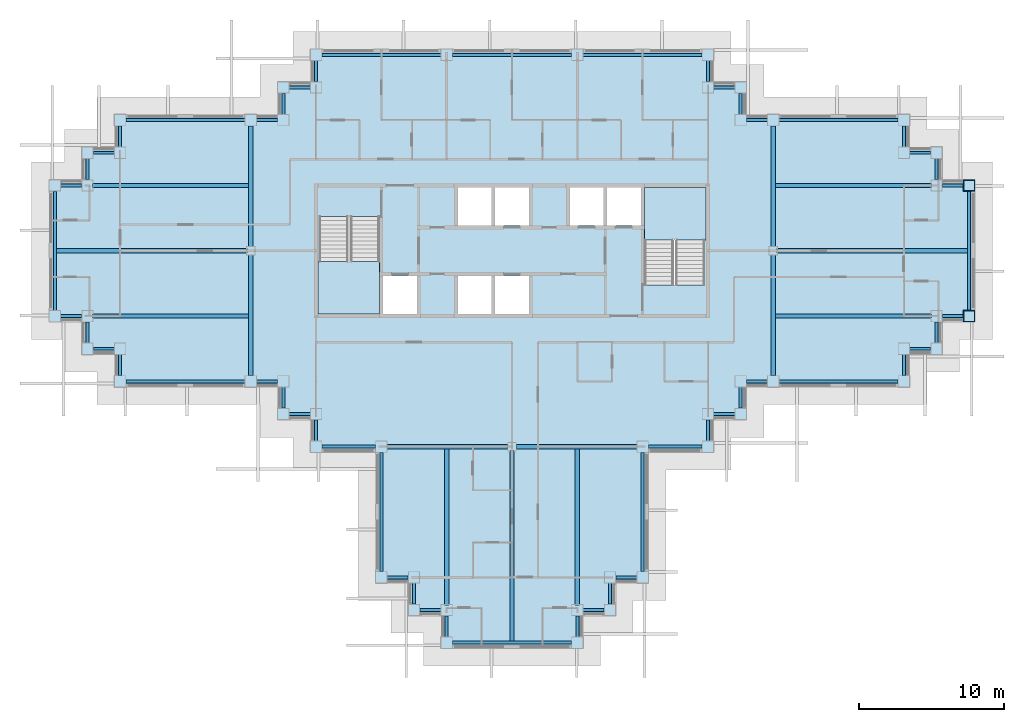
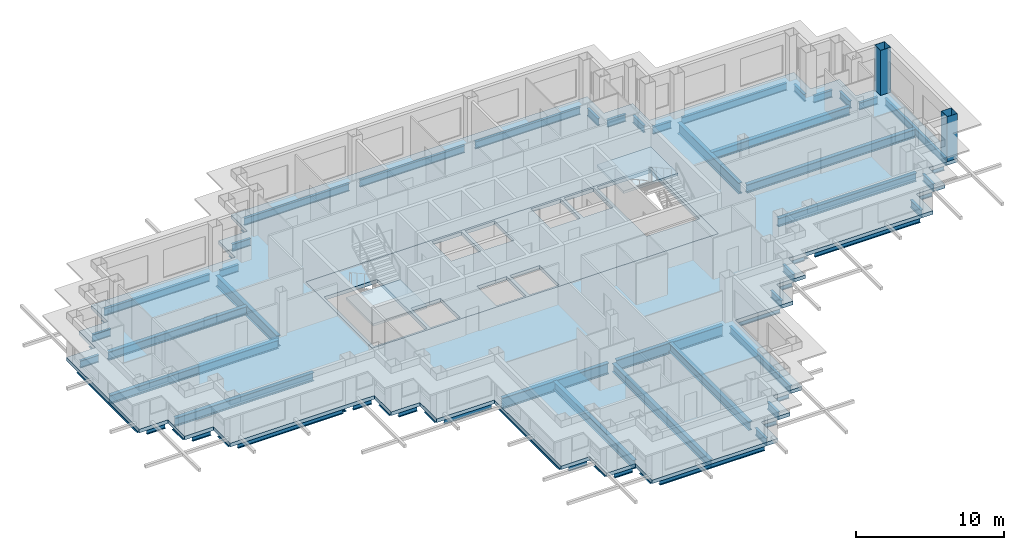
# One storey, part 2 of 14: 69 beams, 4 slabs, 2 columns, 2 elements without a shape of their own.
"""IFC4 building model written with IfcOpenShell, lengths in metres."""

from ifc_helpers import new_model, si_unit, direction, frame, origin, origin_2d, place, context, subcontext, project, spatial, polyline, hollow_rectangle, i_section, outline, extrude, material, layer, layer_set, material_profile, profile_set, type_object, element, aggregate, save


model = new_model("IFC4")

# Units and contexts
model_context = context("Model", 3, precision=1e-05, world=origin(), true_north=direction((0.0, 1.0)))
body_context = subcontext(model_context, "Body", "Model", "MODEL_VIEW")
ifc_project = project(units=[si_unit("LENGTHUNIT", "METRE"), si_unit("AREAUNIT", "SQUARE_METRE"), si_unit("VOLUMEUNIT", "CUBIC_METRE"), si_unit("PLANEANGLEUNIT", "RADIAN"), si_unit("MASSUNIT", "GRAM", prefix="KILO")], contexts=[model_context])

# Site, building, storey
site_placement = place(None, origin())
site = spatial("IfcSite", under=ifc_project, at=site_placement, CompositionType="ELEMENT")
building_placement = place(site_placement, origin())
building = spatial("IfcBuilding", under=site, at=building_placement, Name="Caravel Reach Hotel and Residences", CompositionType="ELEMENT")
storey_placement = place(building_placement, frame((0.0, 0.0, 161.699951171875)))
storey = spatial("IfcBuildingStorey", under=building, at=storey_placement, Name="L40", CompositionType="ELEMENT", Elevation=161.699951171875)

# Columns
ifc_material_1 = material(Name="Concrete-filled steel tube Q390B with Concrete C60 infill", Category="concrete")
ifc_material_profile_1 = material_profile(ifc_material_1, hollow_rectangle(XDim=0.800048828125, YDim=0.800048828125, WallThickness=0.02490234375, at=origin_2d()), Name="RHS 800x800x25")
ifc_profile_set_1 = profile_set([ifc_material_profile_1], Name="Concrete-filled steel tube Q390B with Concrete C60 infill")
column_type = type_object("IfcColumnType", Name="CFT 800x800 Q390B C60", PredefinedType="COLUMN", material=ifc_profile_set_1)
for number, where, z_axis, x_axis, name in (
    (1, (63.0, 22.5, 0.0), (0.0, 0.0, 1.0), (1.0, 0.0, 0.0), "C5 column"),
    (2, (63.0, 31.5, 0.0), (0.0, 0.0, 1.0), (1.0, 0.0, 0.0), "C5 column"),
):
    element("IfcColumn", number, at=place(storey_placement, frame(where, z_axis=z_axis, x_axis=x_axis)), inside=storey, type_object=column_type, Name=name, PredefinedType="COLUMN", context=body_context, shape_type="SweptSolid", body=[
        extrude(hollow_rectangle(XDim=0.800048828125, YDim=0.800048828125, WallThickness=0.02490234375, at=origin_2d()), origin(), (0.0, 0.0, 1.0), 3.699951171875),
    ])

# Beams
ifc_material_2 = material(Name="Structural steel Q355B", Category="steel")
ifc_material_profile_2 = material_profile(ifc_material_2, i_section(OverallWidth=0.300048828125, OverallDepth=0.699951171875, WebThickness=0.012939453125, FlangeThickness=0.02392578125, FilletRadius=0.01806640625, at=origin_2d()), Name="HN 700x300x13x24")
ifc_profile_set_2 = profile_set([ifc_material_profile_2], Name="Structural steel Q355B")
beam_type_1 = type_object("IfcBeamType", Name="Beam HN 700x300x13x24", PredefinedType="BEAM", material=ifc_profile_set_2)
beam_1_placement = place(storey_placement, frame((27.0, 13.39990234375, -0.64990234375), z_axis=(0.0, -1.0, 0.0), x_axis=(1.0, 0.0, 0.0)))
element("IfcBeam", 3, at=beam_1_placement, inside=storey, type_object=beam_type_1, Name="B2 HN 700x300x13x24", PredefinedType="BEAM", context=body_context, shape_type="SweptSolid", body=[
    extrude(i_section(OverallWidth=0.300048828125, OverallDepth=0.699951171875, WebThickness=0.012939453125, FlangeThickness=0.02392578125, FilletRadius=0.01806640625, at=origin_2d()), origin(), (0.0, 0.0, 1.0), 10.7998046875),
])
beam_2_placement = place(storey_placement, frame((31.5, 13.25, -0.64990234375), z_axis=(0.0, -1.0, 0.0), x_axis=(1.0, 0.0, 0.0)))
element("IfcBeam", 4, at=beam_2_placement, inside=storey, type_object=beam_type_1, Name="B2 HN 700x300x13x24", PredefinedType="BEAM", context=body_context, shape_type="SweptSolid", body=[
    extrude(i_section(OverallWidth=0.300048828125, OverallDepth=0.699951171875, WebThickness=0.012939453125, FlangeThickness=0.02392578125, FilletRadius=0.01806640625, at=origin_2d()), origin(), (0.0, 0.0, 1.0), 13.14990234375),
])
for number, where, z_axis, x_axis, name in (
    (5, (36.0, 13.39990234375, -0.64990234375), (0.0, -1.0, 0.0), (1.0, 0.0, 0.0), "B2 HN 700x300x13x24"),
    (6, (49.60009765625, 22.5, -0.64990234375), (1.0, 0.0, 0.0), (0.0, 1.0, 0.0), "B2 HN 700x300x13x24"),
):
    element("IfcBeam", number, at=place(storey_placement, frame(where, z_axis=z_axis, x_axis=x_axis)), inside=storey, type_object=beam_type_1, Name=name, PredefinedType="BEAM", context=body_context, shape_type="SweptSolid", body=[
        extrude(i_section(OverallWidth=0.300048828125, OverallDepth=0.699951171875, WebThickness=0.012939453125, FlangeThickness=0.02392578125, FilletRadius=0.01806640625, at=origin_2d()), origin(), (0.0, 0.0, 1.0), 10.7998046875),
    ])
beam_3_placement = place(storey_placement, frame((49.75, 27.0, -0.64990234375), z_axis=(1.0, 0.0, 0.0), x_axis=(0.0, 1.0, 0.0)))
element("IfcBeam", 7, at=beam_3_placement, inside=storey, type_object=beam_type_1, Name="B2 HN 700x300x13x24", PredefinedType="BEAM", context=body_context, shape_type="SweptSolid", body=[
    extrude(i_section(OverallWidth=0.300048828125, OverallDepth=0.699951171875, WebThickness=0.012939453125, FlangeThickness=0.02392578125, FilletRadius=0.01806640625, at=origin_2d()), origin(), (0.0, 0.0, 1.0), 13.14990234375),
])
for number, where, z_axis, x_axis, name in (
    (8, (49.60009765625, 31.5, -0.64990234375), (1.0, 0.0, 0.0), (0.0, 1.0, 0.0), "B2 HN 700x300x13x24"),
    (9, (13.39990234375, 22.5, -0.64990234375), (-1.0, 0.0, 0.0), (0.0, -1.0, 0.0), "B2 HN 700x300x13x24"),
):
    element("IfcBeam", number, at=place(storey_placement, frame(where, z_axis=z_axis, x_axis=x_axis)), inside=storey, type_object=beam_type_1, Name=name, PredefinedType="BEAM", context=body_context, shape_type="SweptSolid", body=[
        extrude(i_section(OverallWidth=0.300048828125, OverallDepth=0.699951171875, WebThickness=0.012939453125, FlangeThickness=0.02392578125, FilletRadius=0.01806640625, at=origin_2d()), origin(), (0.0, 0.0, 1.0), 10.7998046875),
    ])
beam_4_placement = place(storey_placement, frame((13.25, 27.0, -0.64990234375), z_axis=(-1.0, 0.0, 0.0), x_axis=(0.0, -1.0, 0.0)))
element("IfcBeam", 10, at=beam_4_placement, inside=storey, type_object=beam_type_1, Name="B2 HN 700x300x13x24", PredefinedType="BEAM", context=body_context, shape_type="SweptSolid", body=[
    extrude(i_section(OverallWidth=0.300048828125, OverallDepth=0.699951171875, WebThickness=0.012939453125, FlangeThickness=0.02392578125, FilletRadius=0.01806640625, at=origin_2d()), origin(), (0.0, 0.0, 1.0), 13.14990234375),
])
beam_5_placement = place(storey_placement, frame((13.39990234375, 31.5, -0.64990234375), z_axis=(-1.0, 0.0, 0.0), x_axis=(0.0, -1.0, 0.0)))
element("IfcBeam", 11, at=beam_5_placement, inside=storey, type_object=beam_type_1, Name="B2 HN 700x300x13x24", PredefinedType="BEAM", context=body_context, shape_type="SweptSolid", body=[
    extrude(i_section(OverallWidth=0.300048828125, OverallDepth=0.699951171875, WebThickness=0.012939453125, FlangeThickness=0.02392578125, FilletRadius=0.01806640625, at=origin_2d()), origin(), (0.0, 0.0, 1.0), 10.7998046875),
])
ifc_material_3 = material(Name="Structural steel Q355B", Category="steel")
ifc_material_profile_3 = material_profile(ifc_material_3, i_section(OverallWidth=0.300048828125, OverallDepth=0.89990234375, WebThickness=0.01611328125, FlangeThickness=0.028076171875, FilletRadius=0.01806640625, at=origin_2d()), Name="HN 900x300x16x28")
ifc_profile_set_3 = profile_set([ifc_material_profile_3], Name="Structural steel Q355B")
beam_type_2 = type_object("IfcBeamType", Name="Beam HN 900x300x16x28", PredefinedType="BEAM", material=ifc_profile_set_3)
for number, where, z_axis, x_axis, name in (
    (12, (22.89990234375, 13.5, -0.75), (1.0, 0.0, 0.0), (0.0, 1.0, 0.0), "B3 HN 900x300x16x28"),
    (13, (31.800048828125, 13.5, -0.75), (1.0, 0.0, 0.0), (0.0, 1.0, 0.0), "B3 HN 900x300x16x28"),
    (14, (13.5, 18.39990234375, -0.75), (0.0, 1.0, 0.0), (-1.0, 0.0, 0.0), "B3 HN 900x300x16x28"),
    (15, (13.5, 27.300048828125, -0.75), (0.0, 1.0, 0.0), (-1.0, 0.0, 0.0), "B3 HN 900x300x16x28"),
    (16, (49.5, 18.39990234375, -0.75), (0.0, 1.0, 0.0), (-1.0, 0.0, 0.0), "B3 HN 900x300x16x28"),
    (17, (49.5, 27.300048828125, -0.75), (0.0, 1.0, 0.0), (-1.0, 0.0, 0.0), "B3 HN 900x300x16x28"),
):
    element("IfcBeam", number, at=place(storey_placement, frame(where, z_axis=z_axis, x_axis=x_axis)), inside=storey, type_object=beam_type_2, Name=name, PredefinedType="BEAM", context=body_context, shape_type="SweptSolid", body=[
        extrude(i_section(OverallWidth=0.300048828125, OverallDepth=0.89990234375, WebThickness=0.01611328125, FlangeThickness=0.028076171875, FilletRadius=0.01806640625, at=origin_2d()), origin(), (0.0, 0.0, 1.0), 8.300048828125),
    ])
ifc_material_4 = material(Name="Structural steel Q355B", Category="steel")
ifc_material_profile_4 = material_profile(ifc_material_4, i_section(OverallWidth=0.199951171875, OverallDepth=0.60009765625, WebThickness=0.010986328125, FlangeThickness=0.01708984375, FilletRadius=0.012939453125, at=origin_2d()), Name="HN 600x200x11x17")
ifc_profile_set_4 = profile_set([ifc_material_profile_4], Name="Structural steel Q355B")
beam_type_3 = type_object("IfcBeamType", Name="Spandrel beam HN 600x200x11x17", PredefinedType="SPANDREL", material=ifc_profile_set_4)
for number, where, z_axis, x_axis, name in (
    (18, (22.89990234375, 4.5, -0.599853515625), (1.0, 0.0, 0.0), (0.0, 1.0, 0.0), "SP1 HN 600x200x11x17"),
    (19, (24.75, 4.10009765625, -0.599853515625), (0.0, -1.0, 0.0), (1.0, 0.0, 0.0), "SP1 HN 600x200x11x17"),
    (20, (25.14990234375, 2.25, -0.599853515625), (1.0, 0.0, 0.0), (0.0, 1.0, 0.0), "SP1 HN 600x200x11x17"),
    (21, (27.0, 1.85009765625, -0.599853515625), (0.0, -1.0, 0.0), (1.0, 0.0, 0.0), "SP1 HN 600x200x11x17"),
):
    element("IfcBeam", number, at=place(storey_placement, frame(where, z_axis=z_axis, x_axis=x_axis)), inside=storey, type_object=beam_type_3, Name=name, PredefinedType="SPANDREL", context=body_context, shape_type="SweptSolid", body=[
        extrude(i_section(OverallWidth=0.199951171875, OverallDepth=0.60009765625, WebThickness=0.010986328125, FlangeThickness=0.01708984375, FilletRadius=0.012939453125, at=origin_2d()), origin(), (0.0, 0.0, 1.0), 1.4501953125),
    ])
beam_6_placement = place(storey_placement, frame((27.39990234375, 0.0, -0.599853515625), z_axis=(1.0, 0.0, 0.0), x_axis=(0.0, 1.0, 0.0)))
element("IfcBeam", 22, at=beam_6_placement, inside=storey, type_object=beam_type_3, Name="SP1 HN 600x200x11x17", PredefinedType="SPANDREL", context=body_context, shape_type="SweptSolid", body=[
    extrude(i_section(OverallWidth=0.199951171875, OverallDepth=0.60009765625, WebThickness=0.010986328125, FlangeThickness=0.01708984375, FilletRadius=0.012939453125, at=origin_2d()), origin(), (0.0, 0.0, 1.0), 8.2001953125),
])
for number, where, z_axis, x_axis, name in (
    (23, (36.0, 0.39990234375, -0.599853515625), (0.0, 1.0, 0.0), (-1.0, 0.0, 0.0), "SP1 HN 600x200x11x17"),
    (24, (36.39990234375, 2.25, -0.599853515625), (1.0, 0.0, 0.0), (0.0, 1.0, 0.0), "SP1 HN 600x200x11x17"),
    (25, (38.25, 2.64990234375, -0.599853515625), (0.0, 1.0, 0.0), (-1.0, 0.0, 0.0), "SP1 HN 600x200x11x17"),
    (26, (38.64990234375, 4.5, -0.599853515625), (1.0, 0.0, 0.0), (0.0, 1.0, 0.0), "SP1 HN 600x200x11x17"),
):
    element("IfcBeam", number, at=place(storey_placement, frame(where, z_axis=z_axis, x_axis=x_axis)), inside=storey, type_object=beam_type_3, Name=name, PredefinedType="SPANDREL", context=body_context, shape_type="SweptSolid", body=[
        extrude(i_section(OverallWidth=0.199951171875, OverallDepth=0.60009765625, WebThickness=0.010986328125, FlangeThickness=0.01708984375, FilletRadius=0.012939453125, at=origin_2d()), origin(), (0.0, 0.0, 1.0), 1.4501953125),
    ])
beam_7_placement = place(storey_placement, frame((40.5, 4.89990234375, -0.599853515625), z_axis=(0.0, 1.0, 0.0), x_axis=(-1.0, 0.0, 0.0)))
element("IfcBeam", 27, at=beam_7_placement, inside=storey, type_object=beam_type_3, Name="SP1 HN 600x200x11x17", PredefinedType="SPANDREL", context=body_context, shape_type="SweptSolid", body=[
    extrude(i_section(OverallWidth=0.199951171875, OverallDepth=0.60009765625, WebThickness=0.010986328125, FlangeThickness=0.01708984375, FilletRadius=0.012939453125, at=origin_2d()), origin(), (0.0, 0.0, 1.0), 8.2001953125),
])
beam_8_placement = place(storey_placement, frame((40.89990234375, 13.5, -0.599853515625), z_axis=(1.0, 0.0, 0.0), x_axis=(0.0, 1.0, 0.0)))
element("IfcBeam", 28, at=beam_8_placement, inside=storey, type_object=beam_type_3, Name="SP1 HN 600x200x11x17", PredefinedType="SPANDREL", context=body_context, shape_type="SweptSolid", body=[
    extrude(i_section(OverallWidth=0.199951171875, OverallDepth=0.60009765625, WebThickness=0.010986328125, FlangeThickness=0.01708984375, FilletRadius=0.012939453125, at=origin_2d()), origin(), (0.0, 0.0, 1.0), 3.7001953125),
])
for number, where, z_axis, x_axis, name in (
    (29, (45.0, 13.89990234375, -0.599853515625), (0.0, 1.0, 0.0), (-1.0, 0.0, 0.0), "SP1 HN 600x200x11x17"),
    (30, (45.39990234375, 15.75, -0.599853515625), (1.0, 0.0, 0.0), (0.0, 1.0, 0.0), "SP1 HN 600x200x11x17"),
    (31, (47.25, 16.14990234375, -0.599853515625), (0.0, 1.0, 0.0), (-1.0, 0.0, 0.0), "SP1 HN 600x200x11x17"),
    (32, (47.64990234375, 18.0, -0.599853515625), (1.0, 0.0, 0.0), (0.0, 1.0, 0.0), "SP1 HN 600x200x11x17"),
):
    element("IfcBeam", number, at=place(storey_placement, frame(where, z_axis=z_axis, x_axis=x_axis)), inside=storey, type_object=beam_type_3, Name=name, PredefinedType="SPANDREL", context=body_context, shape_type="SweptSolid", body=[
        extrude(i_section(OverallWidth=0.199951171875, OverallDepth=0.60009765625, WebThickness=0.010986328125, FlangeThickness=0.01708984375, FilletRadius=0.012939453125, at=origin_2d()), origin(), (0.0, 0.0, 1.0), 1.4501953125),
    ])
beam_9_placement = place(storey_placement, frame((49.89990234375, 18.0, -0.599853515625), z_axis=(1.0, 0.0, 0.0), x_axis=(0.0, 1.0, 0.0)))
element("IfcBeam", 33, at=beam_9_placement, inside=storey, type_object=beam_type_3, Name="SP1 HN 600x200x11x17", PredefinedType="SPANDREL", context=body_context, shape_type="SweptSolid", body=[
    extrude(i_section(OverallWidth=0.199951171875, OverallDepth=0.60009765625, WebThickness=0.010986328125, FlangeThickness=0.01708984375, FilletRadius=0.012939453125, at=origin_2d()), origin(), (0.0, 0.0, 1.0), 8.2001953125),
])
for number, where, z_axis, x_axis, name in (
    (34, (58.5, 18.39990234375, -0.599853515625), (0.0, 1.0, 0.0), (-1.0, 0.0, 0.0), "SP1 HN 600x200x11x17"),
    (35, (58.89990234375, 20.25, -0.599853515625), (1.0, 0.0, 0.0), (0.0, 1.0, 0.0), "SP1 HN 600x200x11x17"),
    (36, (60.75, 20.64990234375, -0.599853515625), (0.0, 1.0, 0.0), (-1.0, 0.0, 0.0), "SP1 HN 600x200x11x17"),
    (37, (61.14990234375, 22.5, -0.599853515625), (1.0, 0.0, 0.0), (0.0, 1.0, 0.0), "SP1 HN 600x200x11x17"),
):
    element("IfcBeam", number, at=place(storey_placement, frame(where, z_axis=z_axis, x_axis=x_axis)), inside=storey, type_object=beam_type_3, Name=name, PredefinedType="SPANDREL", context=body_context, shape_type="SweptSolid", body=[
        extrude(i_section(OverallWidth=0.199951171875, OverallDepth=0.60009765625, WebThickness=0.010986328125, FlangeThickness=0.01708984375, FilletRadius=0.012939453125, at=origin_2d()), origin(), (0.0, 0.0, 1.0), 1.4501953125),
    ])
beam_10_placement = place(storey_placement, frame((63.0, 22.89990234375, -0.599853515625), z_axis=(0.0, 1.0, 0.0), x_axis=(-1.0, 0.0, 0.0)))
element("IfcBeam", 38, at=beam_10_placement, inside=storey, type_object=beam_type_3, Name="SP1 HN 600x200x11x17", PredefinedType="SPANDREL", context=body_context, shape_type="SweptSolid", body=[
    extrude(i_section(OverallWidth=0.199951171875, OverallDepth=0.60009765625, WebThickness=0.010986328125, FlangeThickness=0.01708984375, FilletRadius=0.012939453125, at=origin_2d()), origin(), (0.0, 0.0, 1.0), 8.2001953125),
])
for number, where, z_axis, x_axis, name in (
    (39, (62.60009765625, 31.5, -0.599853515625), (-1.0, 0.0, 0.0), (0.0, -1.0, 0.0), "SP1 HN 600x200x11x17"),
    (40, (60.75, 31.89990234375, -0.599853515625), (0.0, 1.0, 0.0), (-1.0, 0.0, 0.0), "SP1 HN 600x200x11x17"),
    (41, (60.35009765625, 33.75, -0.599853515625), (-1.0, 0.0, 0.0), (0.0, -1.0, 0.0), "SP1 HN 600x200x11x17"),
    (42, (58.5, 34.14990234375, -0.599853515625), (0.0, 1.0, 0.0), (-1.0, 0.0, 0.0), "SP1 HN 600x200x11x17"),
):
    element("IfcBeam", number, at=place(storey_placement, frame(where, z_axis=z_axis, x_axis=x_axis)), inside=storey, type_object=beam_type_3, Name=name, PredefinedType="SPANDREL", context=body_context, shape_type="SweptSolid", body=[
        extrude(i_section(OverallWidth=0.199951171875, OverallDepth=0.60009765625, WebThickness=0.010986328125, FlangeThickness=0.01708984375, FilletRadius=0.012939453125, at=origin_2d()), origin(), (0.0, 0.0, 1.0), 1.4501953125),
    ])
beam_11_placement = place(storey_placement, frame((58.10009765625, 36.0, -0.599853515625), z_axis=(-1.0, 0.0, 0.0), x_axis=(0.0, -1.0, 0.0)))
element("IfcBeam", 43, at=beam_11_placement, inside=storey, type_object=beam_type_3, Name="SP1 HN 600x200x11x17", PredefinedType="SPANDREL", context=body_context, shape_type="SweptSolid", body=[
    extrude(i_section(OverallWidth=0.199951171875, OverallDepth=0.60009765625, WebThickness=0.010986328125, FlangeThickness=0.01708984375, FilletRadius=0.012939453125, at=origin_2d()), origin(), (0.0, 0.0, 1.0), 8.2001953125),
])
for number, where, z_axis, x_axis, name in (
    (44, (49.10009765625, 36.0, -0.599853515625), (-1.0, 0.0, 0.0), (0.0, -1.0, 0.0), "SP1 HN 600x200x11x17"),
    (45, (47.25, 36.39990234375, -0.599853515625), (0.0, 1.0, 0.0), (-1.0, 0.0, 0.0), "SP1 HN 600x200x11x17"),
    (46, (46.85009765625, 38.25, -0.599853515625), (-1.0, 0.0, 0.0), (0.0, -1.0, 0.0), "SP1 HN 600x200x11x17"),
    (47, (45.0, 38.64990234375, -0.599853515625), (0.0, 1.0, 0.0), (-1.0, 0.0, 0.0), "SP1 HN 600x200x11x17"),
):
    element("IfcBeam", number, at=place(storey_placement, frame(where, z_axis=z_axis, x_axis=x_axis)), inside=storey, type_object=beam_type_3, Name=name, PredefinedType="SPANDREL", context=body_context, shape_type="SweptSolid", body=[
        extrude(i_section(OverallWidth=0.199951171875, OverallDepth=0.60009765625, WebThickness=0.010986328125, FlangeThickness=0.01708984375, FilletRadius=0.012939453125, at=origin_2d()), origin(), (0.0, 0.0, 1.0), 1.4501953125),
    ])
for number, where, z_axis, x_axis, name in (
    (48, (44.60009765625, 40.5, -0.599853515625), (-1.0, 0.0, 0.0), (0.0, -1.0, 0.0), "SP1 HN 600x200x11x17"),
    (49, (35.60009765625, 40.5, -0.599853515625), (-1.0, 0.0, 0.0), (0.0, -1.0, 0.0), "SP1 HN 600x200x11x17"),
    (50, (26.60009765625, 40.5, -0.599853515625), (-1.0, 0.0, 0.0), (0.0, -1.0, 0.0), "SP1 HN 600x200x11x17"),
):
    element("IfcBeam", number, at=place(storey_placement, frame(where, z_axis=z_axis, x_axis=x_axis)), inside=storey, type_object=beam_type_3, Name=name, PredefinedType="SPANDREL", context=body_context, shape_type="SweptSolid", body=[
        extrude(i_section(OverallWidth=0.199951171875, OverallDepth=0.60009765625, WebThickness=0.010986328125, FlangeThickness=0.01708984375, FilletRadius=0.012939453125, at=origin_2d()), origin(), (0.0, 0.0, 1.0), 8.2001953125),
    ])
for number, where, z_axis, x_axis, name in (
    (51, (18.0, 40.10009765625, -0.599853515625), (0.0, -1.0, 0.0), (1.0, 0.0, 0.0), "SP1 HN 600x200x11x17"),
    (52, (17.60009765625, 38.25, -0.599853515625), (-1.0, 0.0, 0.0), (0.0, -1.0, 0.0), "SP1 HN 600x200x11x17"),
    (53, (15.75, 37.85009765625, -0.599853515625), (0.0, -1.0, 0.0), (1.0, 0.0, 0.0), "SP1 HN 600x200x11x17"),
    (54, (15.35009765625, 36.0, -0.599853515625), (-1.0, 0.0, 0.0), (0.0, -1.0, 0.0), "SP1 HN 600x200x11x17"),
):
    element("IfcBeam", number, at=place(storey_placement, frame(where, z_axis=z_axis, x_axis=x_axis)), inside=storey, type_object=beam_type_3, Name=name, PredefinedType="SPANDREL", context=body_context, shape_type="SweptSolid", body=[
        extrude(i_section(OverallWidth=0.199951171875, OverallDepth=0.60009765625, WebThickness=0.010986328125, FlangeThickness=0.01708984375, FilletRadius=0.012939453125, at=origin_2d()), origin(), (0.0, 0.0, 1.0), 1.4501953125),
    ])
beam_12_placement = place(storey_placement, frame((13.10009765625, 36.0, -0.599853515625), z_axis=(-1.0, 0.0, 0.0), x_axis=(0.0, -1.0, 0.0)))
element("IfcBeam", 55, at=beam_12_placement, inside=storey, type_object=beam_type_3, Name="SP1 HN 600x200x11x17", PredefinedType="SPANDREL", context=body_context, shape_type="SweptSolid", body=[
    extrude(i_section(OverallWidth=0.199951171875, OverallDepth=0.60009765625, WebThickness=0.010986328125, FlangeThickness=0.01708984375, FilletRadius=0.012939453125, at=origin_2d()), origin(), (0.0, 0.0, 1.0), 8.2001953125),
])
for number, where, z_axis, x_axis, name in (
    (56, (4.5, 35.60009765625, -0.599853515625), (0.0, -1.0, 0.0), (1.0, 0.0, 0.0), "SP1 HN 600x200x11x17"),
    (57, (4.10009765625, 33.75, -0.599853515625), (-1.0, 0.0, 0.0), (0.0, -1.0, 0.0), "SP1 HN 600x200x11x17"),
    (58, (2.25, 33.35009765625, -0.599853515625), (0.0, -1.0, 0.0), (1.0, 0.0, 0.0), "SP1 HN 600x200x11x17"),
    (59, (1.85009765625, 31.5, -0.599853515625), (-1.0, 0.0, 0.0), (0.0, -1.0, 0.0), "SP1 HN 600x200x11x17"),
):
    element("IfcBeam", number, at=place(storey_placement, frame(where, z_axis=z_axis, x_axis=x_axis)), inside=storey, type_object=beam_type_3, Name=name, PredefinedType="SPANDREL", context=body_context, shape_type="SweptSolid", body=[
        extrude(i_section(OverallWidth=0.199951171875, OverallDepth=0.60009765625, WebThickness=0.010986328125, FlangeThickness=0.01708984375, FilletRadius=0.012939453125, at=origin_2d()), origin(), (0.0, 0.0, 1.0), 1.4501953125),
    ])
beam_13_placement = place(storey_placement, frame((0.0, 31.10009765625, -0.599853515625), z_axis=(0.0, -1.0, 0.0), x_axis=(1.0, 0.0, 0.0)))
element("IfcBeam", 60, at=beam_13_placement, inside=storey, type_object=beam_type_3, Name="SP1 HN 600x200x11x17", PredefinedType="SPANDREL", context=body_context, shape_type="SweptSolid", body=[
    extrude(i_section(OverallWidth=0.199951171875, OverallDepth=0.60009765625, WebThickness=0.010986328125, FlangeThickness=0.01708984375, FilletRadius=0.012939453125, at=origin_2d()), origin(), (0.0, 0.0, 1.0), 8.2001953125),
])
for number, where, z_axis, x_axis, name in (
    (61, (0.39990234375, 22.5, -0.599853515625), (1.0, 0.0, 0.0), (0.0, 1.0, 0.0), "SP1 HN 600x200x11x17"),
    (62, (2.25, 22.10009765625, -0.599853515625), (0.0, -1.0, 0.0), (1.0, 0.0, 0.0), "SP1 HN 600x200x11x17"),
    (63, (2.64990234375, 20.25, -0.599853515625), (1.0, 0.0, 0.0), (0.0, 1.0, 0.0), "SP1 HN 600x200x11x17"),
    (64, (4.5, 19.85009765625, -0.599853515625), (0.0, -1.0, 0.0), (1.0, 0.0, 0.0), "SP1 HN 600x200x11x17"),
):
    element("IfcBeam", number, at=place(storey_placement, frame(where, z_axis=z_axis, x_axis=x_axis)), inside=storey, type_object=beam_type_3, Name=name, PredefinedType="SPANDREL", context=body_context, shape_type="SweptSolid", body=[
        extrude(i_section(OverallWidth=0.199951171875, OverallDepth=0.60009765625, WebThickness=0.010986328125, FlangeThickness=0.01708984375, FilletRadius=0.012939453125, at=origin_2d()), origin(), (0.0, 0.0, 1.0), 1.4501953125),
    ])
beam_14_placement = place(storey_placement, frame((4.89990234375, 18.0, -0.599853515625), z_axis=(1.0, 0.0, 0.0), x_axis=(0.0, 1.0, 0.0)))
element("IfcBeam", 65, at=beam_14_placement, inside=storey, type_object=beam_type_3, Name="SP1 HN 600x200x11x17", PredefinedType="SPANDREL", context=body_context, shape_type="SweptSolid", body=[
    extrude(i_section(OverallWidth=0.199951171875, OverallDepth=0.60009765625, WebThickness=0.010986328125, FlangeThickness=0.01708984375, FilletRadius=0.012939453125, at=origin_2d()), origin(), (0.0, 0.0, 1.0), 8.2001953125),
])
for number, where, z_axis, x_axis, name in (
    (66, (13.89990234375, 18.0, -0.599853515625), (1.0, 0.0, 0.0), (0.0, 1.0, 0.0), "SP1 HN 600x200x11x17"),
    (67, (15.75, 17.60009765625, -0.599853515625), (0.0, -1.0, 0.0), (1.0, 0.0, 0.0), "SP1 HN 600x200x11x17"),
    (68, (16.14990234375, 15.75, -0.599853515625), (1.0, 0.0, 0.0), (0.0, 1.0, 0.0), "SP1 HN 600x200x11x17"),
    (69, (18.0, 15.35009765625, -0.599853515625), (0.0, -1.0, 0.0), (1.0, 0.0, 0.0), "SP1 HN 600x200x11x17"),
):
    element("IfcBeam", number, at=place(storey_placement, frame(where, z_axis=z_axis, x_axis=x_axis)), inside=storey, type_object=beam_type_3, Name=name, PredefinedType="SPANDREL", context=body_context, shape_type="SweptSolid", body=[
        extrude(i_section(OverallWidth=0.199951171875, OverallDepth=0.60009765625, WebThickness=0.010986328125, FlangeThickness=0.01708984375, FilletRadius=0.012939453125, at=origin_2d()), origin(), (0.0, 0.0, 1.0), 1.4501953125),
    ])
beam_15_placement = place(storey_placement, frame((18.39990234375, 13.5, -0.599853515625), z_axis=(1.0, 0.0, 0.0), x_axis=(0.0, 1.0, 0.0)))
element("IfcBeam", 70, at=beam_15_placement, inside=storey, type_object=beam_type_3, Name="SP1 HN 600x200x11x17", PredefinedType="SPANDREL", context=body_context, shape_type="SweptSolid", body=[
    extrude(i_section(OverallWidth=0.199951171875, OverallDepth=0.60009765625, WebThickness=0.010986328125, FlangeThickness=0.01708984375, FilletRadius=0.012939453125, at=origin_2d()), origin(), (0.0, 0.0, 1.0), 3.7001953125),
])
beam_16_placement = place(storey_placement, frame((22.5, 13.10009765625, -0.599853515625), z_axis=(0.0, -1.0, 0.0), x_axis=(1.0, 0.0, 0.0)))
element("IfcBeam", 71, at=beam_16_placement, inside=storey, type_object=beam_type_3, Name="SP1 HN 600x200x11x17", PredefinedType="SPANDREL", context=body_context, shape_type="SweptSolid", body=[
    extrude(i_section(OverallWidth=0.199951171875, OverallDepth=0.60009765625, WebThickness=0.010986328125, FlangeThickness=0.01708984375, FilletRadius=0.012939453125, at=origin_2d()), origin(), (0.0, 0.0, 1.0), 8.2001953125),
])

# Slab
ifc_material_5 = material(Name="Concrete C40", Category="concrete")
ifc_layer_1 = layer(ifc_material_5, 0.300048828125)
ifc_layer_set_1 = layer_set([ifc_layer_1], Name="Core floor slab 300 mm")
slab_type_1 = type_object("IfcSlabType", Name="Core floor slab 300 mm", PredefinedType="FLOOR", material=ifc_layer_set_1)
slab_1_placement = place(storey_placement, frame((0.0, 0.0, -0.300048828125)))
element("IfcSlab", 72, at=slab_1_placement, inside=storey, type_object=slab_type_1, Name="L40 core floor", PredefinedType="FLOOR", context=body_context, shape_type="SweptSolid", body=[
    extrude(outline(polyline([(18.0, 31.5), (45.0, 31.5), (45.0, 22.5), (18.0, 22.5), (18.0, 31.5)]), holes=[polyline([(22.625, 25.27490234375), (22.625, 22.64990234375), (24.9462890625, 22.64990234375), (24.9462890625, 25.27490234375), (22.625, 25.27490234375)]), polyline([(27.767822265625, 25.27490234375), (27.767822265625, 22.64990234375), (30.08935546875, 22.64990234375), (30.08935546875, 25.27490234375), (27.767822265625, 25.27490234375)]), polyline([(30.33935546875, 25.27490234375), (30.33935546875, 22.64990234375), (32.66064453125, 22.64990234375), (32.66064453125, 25.27490234375), (30.33935546875, 25.27490234375)]), polyline([(22.375, 22.64990234375), (22.375, 29.35009765625), (18.22509765625, 29.35009765625), (18.22509765625, 22.64990234375), (22.375, 22.64990234375)]), polyline([(40.625, 31.35009765625), (40.625, 24.64990234375), (44.77490234375, 24.64990234375), (44.77490234375, 31.35009765625), (40.625, 31.35009765625)]), polyline([(27.767822265625, 31.35009765625), (27.767822265625, 28.72509765625), (30.08935546875, 28.72509765625), (30.08935546875, 31.35009765625), (27.767822265625, 31.35009765625)]), polyline([(30.33935546875, 31.35009765625), (30.33935546875, 28.72509765625), (32.66064453125, 28.72509765625), (32.66064453125, 31.35009765625), (30.33935546875, 31.35009765625)]), polyline([(37.8037109375, 31.35009765625), (35.482177734375, 31.35009765625), (35.482177734375, 28.72509765625), (37.8037109375, 28.72509765625), (37.8037109375, 31.35009765625)]), polyline([(40.375, 31.35009765625), (38.0537109375, 31.35009765625), (38.0537109375, 28.72509765625), (40.375, 28.72509765625), (40.375, 31.35009765625)])]), origin(), (0.0, 0.0, 1.0), 0.300048828125),
])

# Stair, slab
ifc_material_6 = material(Name="Concrete C40", Category="concrete")
stair_type = type_object("IfcStairType", Name="Core stair", PredefinedType="HALF_TURN_STAIR", material=ifc_material_6)
stair_1_placement = place(storey_placement, origin())
stair_1 = element("IfcStair", 73, at=stair_1_placement, inside=storey, type_object=stair_type, Name="L40 Exit stair A", PredefinedType="HALF_TURN_STAIR")
ifc_material_7 = material(Name="Concrete C40", Category="concrete")
ifc_layer_2 = layer(ifc_material_7, 0.199951171875)
ifc_layer_set_2 = layer_set([ifc_layer_2], Name="Core stair landing")
slab_type_2 = type_object("IfcSlabType", Name="Core stair landing", PredefinedType="LANDING", material=ifc_layer_set_2)
slab_2_placement = place(storey_placement, frame((0.0, 0.0, 1.650146484375)))
slab_2 = element("IfcSlab", 74, at=slab_2_placement, type_object=slab_type_2, Name="ST-A landing 1", PredefinedType="LANDING", context=body_context, shape_type="SweptSolid", body=[
    extrude(outline(polyline([(18.14990234375, 26.27001953125), (18.14990234375, 22.64990234375), (22.375, 22.64990234375), (22.375, 26.27001953125), (18.14990234375, 26.27001953125)])), origin(), (0.0, 0.0, 1.0), 0.199951171875),
])
aggregate(stair_1, [slab_2])

stair_2_placement = place(storey_placement, origin())
stair_2 = element("IfcStair", 75, at=stair_2_placement, inside=storey, type_object=stair_type, Name="L40 Exit stair B", PredefinedType="HALF_TURN_STAIR")
slab_3_placement = place(storey_placement, frame((0.0, 0.0, 1.650146484375)))
slab_3 = element("IfcSlab", 76, at=slab_3_placement, type_object=slab_type_2, Name="ST-B landing 1", PredefinedType="LANDING", context=body_context, shape_type="SweptSolid", body=[
    extrude(outline(polyline([(44.85009765625, 27.72998046875), (44.85009765625, 31.35009765625), (40.625, 31.35009765625), (40.625, 27.72998046875), (44.85009765625, 27.72998046875)])), origin(), (0.0, 0.0, 1.0), 0.199951171875),
])
aggregate(stair_2, [slab_3])

# Slab
ifc_material_8 = material(Name="Concrete C40 post-tensioned", Category="concrete")
ifc_layer_3 = layer(ifc_material_8, 0.300048828125)
ifc_layer_set_3 = layer_set([ifc_layer_3], Name="Floor slab 300")
slab_type_3 = type_object("IfcSlabType", Name="Floor slab 300", PredefinedType="FLOOR", material=ifc_layer_set_3)
slab_4_placement = place(storey_placement, frame((0.0, 0.0, -0.300048828125)))
element("IfcSlab", 77, at=slab_4_placement, inside=storey, type_object=slab_type_3, Name="S2 slab L40", PredefinedType="FLOOR", context=body_context, shape_type="SweptSolid", body=[
    extrude(outline(polyline([(17.60009765625, 13.10009765625), (17.60009765625, 15.35009765625), (15.35009765625, 15.35009765625), (15.35009765625, 17.60009765625), (4.10009765625, 17.60009765625), (4.10009765625, 19.85009765625), (1.85009765625, 19.85009765625), (1.85009765625, 22.10009765625), (-0.39990234375, 22.10009765625), (-0.39990234375, 31.89990234375), (1.85009765625, 31.89990234375), (1.85009765625, 34.14990234375), (4.10009765625, 34.14990234375), (4.10009765625, 36.39990234375), (15.35009765625, 36.39990234375), (15.35009765625, 38.64990234375), (17.60009765625, 38.64990234375), (17.60009765625, 40.89990234375), (45.39990234375, 40.89990234375), (45.39990234375, 38.64990234375), (47.64990234375, 38.64990234375), (47.64990234375, 36.39990234375), (58.89990234375, 36.39990234375), (58.89990234375, 34.14990234375), (61.14990234375, 34.14990234375), (61.14990234375, 31.89990234375), (63.39990234375, 31.89990234375), (63.39990234375, 22.10009765625), (61.14990234375, 22.10009765625), (61.14990234375, 19.85009765625), (58.89990234375, 19.85009765625), (58.89990234375, 17.60009765625), (47.64990234375, 17.60009765625), (47.64990234375, 15.35009765625), (45.39990234375, 15.35009765625), (45.39990234375, 13.10009765625), (40.89990234375, 13.10009765625), (40.89990234375, 4.10009765625), (38.64990234375, 4.10009765625), (38.64990234375, 1.85009765625), (36.39990234375, 1.85009765625), (36.39990234375, -0.39990234375), (26.60009765625, -0.39990234375), (26.60009765625, 1.85009765625), (24.35009765625, 1.85009765625), (24.35009765625, 4.10009765625), (22.10009765625, 4.10009765625), (22.10009765625, 13.10009765625), (17.60009765625, 13.10009765625)]), holes=[polyline([(45.0, 31.5), (18.0, 31.5), (18.0, 22.5), (45.0, 22.5), (45.0, 31.5)])]), origin(), (0.0, 0.0, 1.0), 0.300048828125),
])

save(model, "model.ifc")
